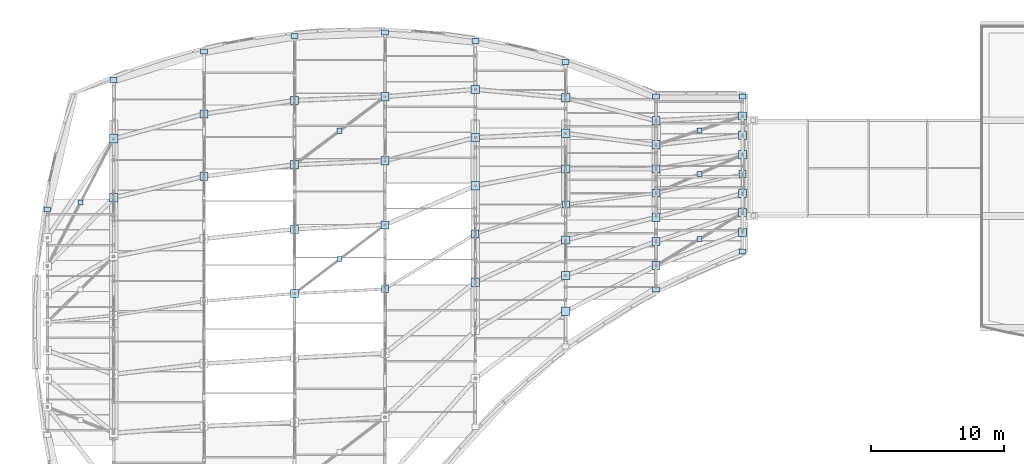
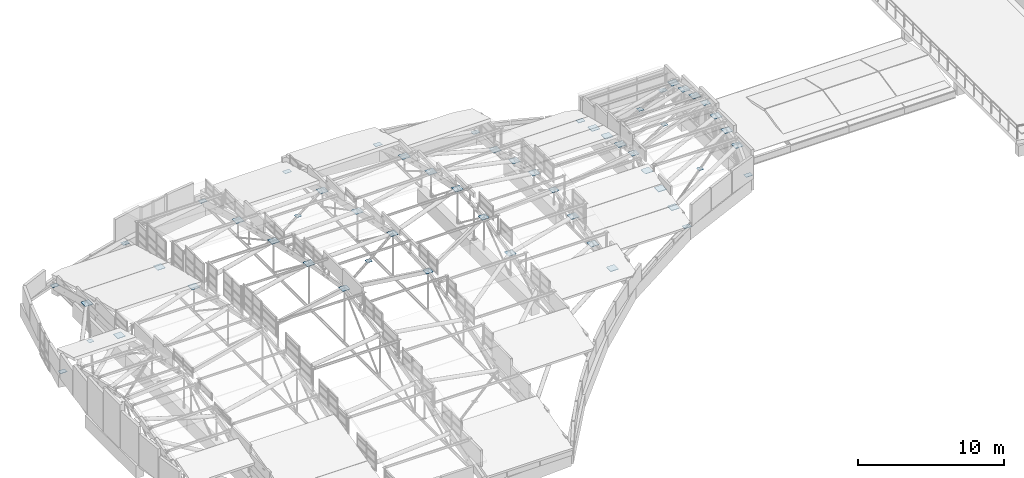
# One storey, part 171 of 188: 55 plates.
"""IFC4 building model written with IfcOpenShell, lengths in metres."""

from ifc_helpers import new_model, si_unit, direction, frame, origin, origin_2d, place, context, subcontext, project, spatial, rectangle, extrude, material, layer, layer_set, type_object, element, save


model = new_model("IFC4")

# Units and contexts
model_context = context("Model", 3, precision=1e-05, world=origin(), true_north=direction((0.0, 1.0)))
body_context = subcontext(model_context, "Body", "Model", "MODEL_VIEW")
ifc_project = project(units=[si_unit("LENGTHUNIT", "METRE"), si_unit("AREAUNIT", "SQUARE_METRE"), si_unit("VOLUMEUNIT", "CUBIC_METRE"), si_unit("PLANEANGLEUNIT", "RADIAN"), si_unit("MASSUNIT", "GRAM", prefix="KILO")], contexts=[model_context])

# Site, building, storey
site_placement = place(None, origin())
site = spatial("IfcSite", under=ifc_project, at=site_placement, CompositionType="ELEMENT")
building_placement = place(site_placement, origin())
building = spatial("IfcBuilding", under=site, at=building_placement, Name="Kisaragi Civic Commons", CompositionType="ELEMENT")
storey_placement = place(building_placement, frame((0.0, 0.0, 9.60009765625)))
storey = spatial("IfcBuildingStorey", under=building, at=storey_placement, Name="L02", CompositionType="ELEMENT", Elevation=9.60009765625)

# Plates
ifc_material = material(Name="Steel SN490 (SN490B)", Category="steel")
ifc_layer_1 = layer(ifc_material, 0.01806640625, Name="Steel SN490 (SN490B)", Category="steel")
ifc_layer_set_1 = layer_set([ifc_layer_1], Name="Steel SN490 (SN490B)")
plate_type_1 = type_object("IfcPlateType", Name="GP-02", PredefinedType="SHEET", material=ifc_layer_set_1)
for number, where, z_axis, x_axis, name in (
    (1, (4.300048828125, 105.422119140625, 1.25439453125), (0.0, 0.0, 1.0), (1.0, 0.0, 0.0), "V2 gridshell brace crossing gusset GP-02 3"),
    (2, (23.800048828125, 101.145263671875, 3.707275390625), (0.0, 0.0, 1.0), (1.0, 0.0, 0.0), "V2 gridshell brace crossing gusset GP-02 5"),
    (3, (23.800048828125, 110.80859375, 1.61083984375), (0.0, 0.0, 1.0), (1.0, 0.0, 0.0), "V2 gridshell brace crossing gusset GP-02 6"),
    (4, (50.85009765625, 102.6513671875, 1.013427734375), (0.0, 0.0, 1.0), (1.0, 0.0, 0.0), "V2 gridshell brace crossing gusset GP-02 7"),
    (5, (50.85009765625, 107.561767578125, 1.736328125), (0.0, 0.0, 1.0), (1.0, 0.0, 0.0), "V2 gridshell brace crossing gusset GP-02 8"),
    (6, (50.85009765625, 110.835205078125, 1.0107421875), (0.0, 0.0, 1.0), (1.0, 0.0, 0.0), "V2 gridshell brace crossing gusset GP-02 9"),
):
    element("IfcPlate", number, at=place(storey_placement, frame(where, z_axis=z_axis, x_axis=x_axis)), inside=storey, type_object=plate_type_1, Name=name, PredefinedType="SHEET", context=body_context, shape_type="SweptSolid", body=[
        extrude(rectangle(XDim=0.3798828125, YDim=0.3798828125, at=origin_2d()), origin(), (0.0, 0.0, 1.0), 0.01806640625),
    ])
ifc_layer_2 = layer(ifc_material, 0.029052734375, Name="Steel SN490 (SN490B)", Category="steel")
ifc_layer_set_2 = layer_set([ifc_layer_2], Name="Steel SN490 (SN490B)")
plate_type_2 = type_object("IfcPlateType", Name="ND-02", PredefinedType="SHEET", material=ifc_layer_set_2)
for number, where, z_axis, x_axis, name in (
    (7, (6.800048828125, 105.773193359375, 0.626953125), (0.0, 0.0, 1.0), (1.0, 0.0, 0.0), "V2 gridshell star-node plate ND-02 16"),
    (8, (6.800048828125, 110.2021484375, 0.626953125), (0.0, 0.0, 1.0), (1.0, 0.0, 0.0), "V2 gridshell star-node plate ND-02 17"),
    (9, (13.60009765625, 107.377685546875, 1.3466796875), (0.0, 0.0, 1.0), (1.0, 0.0, 0.0), "V2 gridshell star-node plate ND-02 25"),
    (10, (13.60009765625, 112.073974609375, 0.1337890625), (0.0, 0.0, 1.0), (1.0, 0.0, 0.0), "V2 gridshell star-node plate ND-02 26"),
    (11, (20.39990234375, 103.40869140625, 3.31298828125), (0.0, 0.0, 1.0), (1.0, 0.0, 0.0), "V2 gridshell star-node plate ND-02 33"),
    (12, (20.39990234375, 108.25048828125, 2.2412109375), (0.0, 0.0, 1.0), (1.0, 0.0, 0.0), "V2 gridshell star-node plate ND-02 34"),
    (13, (20.39990234375, 113.09228515625, 1.0380859375), (0.0, 0.0, 1.0), (1.0, 0.0, 0.0), "V2 gridshell star-node plate ND-02 35"),
    (14, (27.199951171875, 103.723388671875, 3.24462890625), (0.0, 0.0, 1.0), (1.0, 0.0, 0.0), "V2 gridshell star-node plate ND-02 42"),
    (15, (27.199951171875, 108.544921875, 2.171875), (0.0, 0.0, 1.0), (1.0, 0.0, 0.0), "V2 gridshell star-node plate ND-02 43"),
    (16, (27.199951171875, 113.36669921875, 0.96923828125), (0.0, 0.0, 1.0), (1.0, 0.0, 0.0), "V2 gridshell star-node plate ND-02 44"),
    (17, (34.0, 99.419921875, 1.83447265625), (0.0, 0.0, 1.0), (1.0, 0.0, 0.0), "V2 gridshell star-node plate ND-02 49"),
    (18, (34.0, 106.67041015625, 2.79736328125), (0.0, 0.0, 1.0), (1.0, 0.0, 0.0), "V2 gridshell star-node plate ND-02 51"),
    (19, (34.0, 110.29541015625, 2.02587890625), (0.0, 0.0, 1.0), (1.0, 0.0, 0.0), "V2 gridshell star-node plate ND-02 52"),
    (20, (34.0, 113.9208984375, 1.1240234375), (0.0, 0.0, 1.0), (1.0, 0.0, 0.0), "V2 gridshell star-node plate ND-02 53"),
    (21, (40.800048828125, 97.239990234375, -0.49658203125), (0.0, 0.0, 1.0), (1.0, 0.0, 0.0), "V2 gridshell star-node plate ND-02 56"),
    (22, (40.800048828125, 99.914794921875, -0.06298828125), (0.0, 0.0, 1.0), (1.0, 0.0, 0.0), "V2 gridshell star-node plate ND-02 57"),
    (23, (40.800048828125, 102.589599609375, 0.61083984375), (0.0, 0.0, 1.0), (1.0, 0.0, 0.0), "V2 gridshell star-node plate ND-02 58"),
    (24, (40.800048828125, 107.939453125, 0.98828125), (0.0, 0.0, 1.0), (1.0, 0.0, 0.0), "V2 gridshell star-node plate ND-02 60"),
    (25, (40.800048828125, 110.614501953125, 0.3740234375), (0.0, 0.0, 1.0), (1.0, 0.0, 0.0), "V2 gridshell star-node plate ND-02 61"),
    (26, (40.800048828125, 113.289306640625, -0.33251953125), (0.0, 0.0, 1.0), (1.0, 0.0, 0.0), "V2 gridshell star-node plate ND-02 62"),
    (27, (47.60009765625, 100.66748046875, 0.13720703125), (0.0, 0.0, 1.0), (1.0, 0.0, 0.0), "V2 gridshell star-node plate ND-02 65"),
    (28, (47.60009765625, 102.4833984375, 0.58740234375), (0.0, 0.0, 1.0), (1.0, 0.0, 0.0), "V2 gridshell star-node plate ND-02 66"),
    (29, (47.60009765625, 104.299560546875, 0.990234375), (0.0, 0.0, 1.0), (1.0, 0.0, 0.0), "V2 gridshell star-node plate ND-02 67"),
    (30, (47.60009765625, 107.931640625, 0.990234375), (0.0, 0.0, 1.0), (1.0, 0.0, 0.0), "V2 gridshell star-node plate ND-02 69"),
    (31, (47.60009765625, 109.747802734375, 0.58740234375), (0.0, 0.0, 1.0), (1.0, 0.0, 0.0), "V2 gridshell star-node plate ND-02 70"),
    (32, (47.60009765625, 111.56396484375, 0.13720703125), (0.0, 0.0, 1.0), (1.0, 0.0, 0.0), "V2 gridshell star-node plate ND-02 71"),
    (33, (54.10009765625, 103.177978515625, 1.5205078125), (0.0, 0.0, 1.0), (1.0, 0.0, 0.0), "V2 gridshell star-node plate ND-02 74"),
    (34, (54.10009765625, 104.635498046875, 1.87841796875), (0.0, 0.0, 1.0), (1.0, 0.0, 0.0), "V2 gridshell star-node plate ND-02 75"),
    (35, (54.10009765625, 106.0927734375, 2.2001953125), (0.0, 0.0, 1.0), (1.0, 0.0, 0.0), "V2 gridshell star-node plate ND-02 76"),
    (36, (54.10009765625, 109.0078125, 2.11572265625), (0.0, 0.0, 1.0), (1.0, 0.0, 0.0), "V2 gridshell star-node plate ND-02 78"),
    (37, (54.10009765625, 110.465087890625, 1.78759765625), (0.0, 0.0, 1.0), (1.0, 0.0, 0.0), "V2 gridshell star-node plate ND-02 79"),
    (38, (54.10009765625, 111.922607421875, 1.42333984375), (0.0, 0.0, 1.0), (1.0, 0.0, 0.0), "V2 gridshell star-node plate ND-02 80"),
):
    element("IfcPlate", number, at=place(storey_placement, frame(where, z_axis=z_axis, x_axis=x_axis)), inside=storey, type_object=plate_type_2, Name=name, PredefinedType="SHEET", context=body_context, shape_type="SweptSolid", body=[
        extrude(rectangle(XDim=0.6201171875, YDim=0.6201171875, at=origin_2d()), origin(), (0.0, 0.0, 1.0), 0.029052734375),
    ])
ifc_layer_3 = layer(ifc_material, 0.02294921875, Name="Steel SN490 (SN490B)", Category="steel")
ifc_layer_set_3 = layer_set([ifc_layer_3], Name="Steel SN490 (SN490B)")
plate_type_3 = type_object("IfcPlateType", Name="ND-04", PredefinedType="SHEET", material=ifc_layer_set_3)
for number, where, z_axis, x_axis, name in (
    (39, (1.800048828125, 104.8837890625, -0.091552734375), (0.0, 0.0, 1.0), (1.0, 0.0, 0.0), "V2 gridshell star-node plate ND-04 9"),
    (40, (6.800048828125, 114.631103515625, -0.572021484375), (0.0, 0.0, 1.0), (1.0, 0.0, 0.0), "V2 gridshell star-node plate ND-04 18"),
    (41, (13.60009765625, 116.770263671875, -0.710693359375), (0.0, 0.0, 1.0), (1.0, 0.0, 0.0), "V2 gridshell star-node plate ND-04 27"),
    (42, (20.39990234375, 117.93408203125, -0.294189453125), (0.0, 0.0, 1.0), (1.0, 0.0, 0.0), "V2 gridshell star-node plate ND-04 36"),
    (43, (27.199951171875, 118.1884765625, -0.36474609375), (0.0, 0.0, 1.0), (1.0, 0.0, 0.0), "V2 gridshell star-node plate ND-04 45"),
    (44, (34.0, 117.5458984375, -0.091552734375), (0.0, 0.0, 1.0), (1.0, 0.0, 0.0), "V2 gridshell star-node plate ND-04 54"),
    (45, (40.800048828125, 115.964111328125, -0.493408203125), (0.0, 0.0, 1.0), (1.0, 0.0, 0.0), "V2 gridshell star-node plate ND-04 63"),
    (46, (47.60009765625, 98.851318359375, -0.354736328125), (0.0, 0.0, 1.0), (1.0, 0.0, 0.0), "V2 gridshell star-node plate ND-04 64"),
    (47, (47.60009765625, 113.3798828125, -0.354736328125), (0.0, 0.0, 1.0), (1.0, 0.0, 0.0), "V2 gridshell star-node plate ND-04 72"),
    (48, (54.10009765625, 101.720458984375, -0.091552734375), (0.0, 0.0, 1.0), (1.0, 0.0, 0.0), "V2 gridshell star-node plate ND-04 73"),
    (49, (54.10009765625, 113.3798828125, -0.091552734375), (0.0, 0.0, 1.0), (1.0, 0.0, 0.0), "V2 gridshell star-node plate ND-04 81"),
):
    element("IfcPlate", number, at=place(storey_placement, frame(where, z_axis=z_axis, x_axis=x_axis)), inside=storey, type_object=plate_type_3, Name=name, PredefinedType="SHEET", context=body_context, shape_type="SweptSolid", body=[
        extrude(rectangle(XDim=0.52001953125, YDim=0.3798828125, at=origin_2d()), origin(), (0.0, 0.0, 1.0), 0.02294921875),
    ])
ifc_layer_4 = layer(ifc_material, 0.02490234375, Name="Steel SN490 (SN490B)", Category="steel")
ifc_layer_set_4 = layer_set([ifc_layer_4], Name="Steel SN490 (SN490B)")
plate_type_4 = type_object("IfcPlateType", Name="ND-05", PredefinedType="SHEET", material=ifc_layer_set_4)
for number, where, z_axis, x_axis, name in (
    (50, (20.39990234375, 98.56689453125, 4.1611328125), (0.0, 0.0, 1.0), (1.0, 0.0, 0.0), "V2 gridshell star-node plate ND-05 32"),
    (51, (34.0, 103.045166015625, 2.641357421875), (0.0, 0.0, 1.0), (1.0, 0.0, 0.0), "V2 gridshell star-node plate ND-05 50"),
    (52, (47.60009765625, 106.115478515625, 1.347900390625), (0.0, 0.0, 1.0), (1.0, 0.0, 0.0), "V2 gridshell star-node plate ND-05 68"),
):
    element("IfcPlate", number, at=place(storey_placement, frame(where, z_axis=z_axis, x_axis=x_axis)), inside=storey, type_object=plate_type_4, Name=name, PredefinedType="SHEET", context=body_context, shape_type="SweptSolid", body=[
        extrude(rectangle(XDim=0.580078125, YDim=0.580078125, at=origin_2d()), origin(), (0.0, 0.0, 1.0), 0.02490234375),
    ])
ifc_layer_5 = layer(ifc_material, 0.027099609375, Name="Steel SN490 (SN490B)", Category="steel")
ifc_layer_set_5 = layer_set([ifc_layer_5], Name="Steel SN490 (SN490B)")
plate_type_5 = type_object("IfcPlateType", Name="ND-08", PredefinedType="SHEET", material=ifc_layer_set_5)
for number, where, z_axis, x_axis, name in (
    (53, (27.199951171875, 98.901611328125, 3.01611328125), (0.0, 0.0, 1.0), (1.0, 0.0, 0.0), "V2 gridshell star-node plate ND-08 41"),
    (54, (40.800048828125, 105.2646484375, 1.18115234375), (0.0, 0.0, 1.0), (1.0, 0.0, 0.0), "V2 gridshell star-node plate ND-08 59"),
    (55, (54.10009765625, 107.55029296875, 2.40966796875), (0.0, 0.0, 1.0), (1.0, 0.0, 0.0), "V2 gridshell star-node plate ND-08 77"),
):
    element("IfcPlate", number, at=place(storey_placement, frame(where, z_axis=z_axis, x_axis=x_axis)), inside=storey, type_object=plate_type_5, Name=name, PredefinedType="SHEET", context=body_context, shape_type="SweptSolid", body=[
        extrude(rectangle(XDim=0.5400390625, YDim=0.5400390625, at=origin_2d()), origin(), (0.0, 0.0, 1.0), 0.027099609375),
    ])

save(model, "model.ifc")
